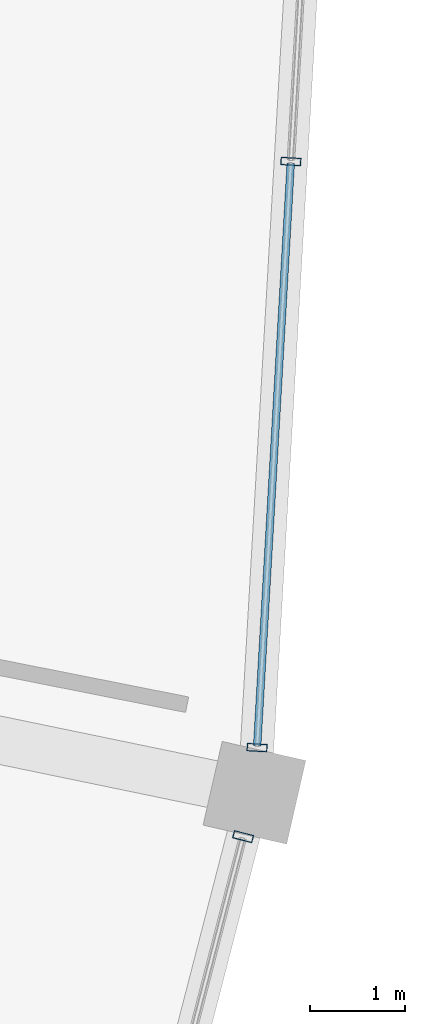
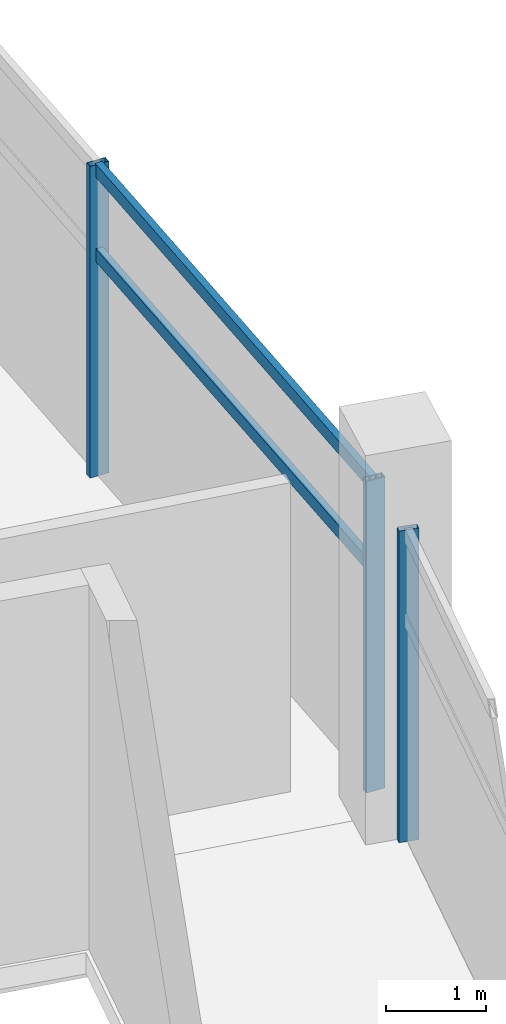
# One storey, part 70 of 171: 5 members, 2 elements without a shape of their own.
"""IFC4 building model written with IfcOpenShell, lengths in metres."""

from ifc_helpers import new_model, si_unit, direction, frame, origin, origin_2d, place, context, subcontext, project, spatial, hollow_rectangle, extrude, material, layer, layer_set, material_profile, profile_set, type_object, element, aggregate, save


model = new_model("IFC4")

# Units and contexts
model_context = context("Model", 3, precision=1e-05, world=origin(), true_north=direction((0.0, 1.0)))
body_context = subcontext(model_context, "Body", "Model", "MODEL_VIEW")
ifc_project = project(units=[si_unit("LENGTHUNIT", "METRE"), si_unit("AREAUNIT", "SQUARE_METRE"), si_unit("VOLUMEUNIT", "CUBIC_METRE"), si_unit("PLANEANGLEUNIT", "RADIAN"), si_unit("MASSUNIT", "GRAM", prefix="KILO")], contexts=[model_context])

# Site, building, storey
site_placement = place(None, origin())
site = spatial("IfcSite", under=ifc_project, at=site_placement, CompositionType="ELEMENT")
building_placement = place(site_placement, origin())
building = spatial("IfcBuilding", under=site, at=building_placement, Name="Kazemori Nagisa Stadium", CompositionType="ELEMENT")
storey_placement = place(building_placement, frame((0.0, 0.0, 15.639892578125)))
storey = spatial("IfcBuildingStorey", under=building, at=storey_placement, Name="L03", CompositionType="ELEMENT", Elevation=15.639892578125)

# Curtain wall, member
ifc_material_1 = material(Name="Anodised aluminium 6063-T5", Category="aluminium")
ifc_layer_1 = layer(ifc_material_1, 0.2099609375, Name="Anodised aluminium 6063-T5", Category="aluminium")
ifc_layer_set_1 = layer_set([ifc_layer_1], Name="Anodised aluminium 6063-T5")
curtain_wall_type_1 = type_object("IfcCurtainWallType", Name="CW_L03R3_96", PredefinedType="USERDEFINED", material=ifc_layer_set_1)
curtain_wall_1_placement = place(storey_placement, origin())
curtain_wall_1 = element("IfcCurtainWall", 1, at=curtain_wall_1_placement, inside=storey, type_object=curtain_wall_type_1, Name="Unitised curtain wall CW-L03R3-96 L03", ObjectType="UNITISED CURTAIN WALL", PredefinedType="USERDEFINED")
ifc_material_2 = material(Name="Aluminium 6063-T5 anodised", Category="aluminium")
ifc_material_profile_1 = material_profile(ifc_material_2, hollow_rectangle(XDim=0.080078125, YDim=0.2099609375, WallThickness=0.0048828125, at=origin_2d()), Name="ALU-MULL-80x210x5")
ifc_profile_set_1 = profile_set([ifc_material_profile_1], Name="Aluminium 6063-T5 anodised")
member_type_1 = type_object("IfcMemberType", Name="Mullion_M02", PredefinedType="MULLION", material=ifc_profile_set_1)
member_1_placement = place(storey_placement, frame((216.761962890625, 82.142333984375, 0.0), z_axis=(0.0, 0.0, 1.0), x_axis=(0.249964642418, 0.968254965152, 0.0)))
member_1 = element("IfcMember", 2, at=member_1_placement, type_object=member_type_1, Name="Curtain wall mullion CW-L03R3-96-M4", PredefinedType="MULLION", context=body_context, shape_type="SweptSolid", body=[
    extrude(hollow_rectangle(XDim=0.080078125, YDim=0.2099609375, WallThickness=0.0048828125, at=origin_2d()), origin(), (0.0, 0.0, 1.0), 3.81005859375),
])
aggregate(curtain_wall_1, [member_1])

# Curtain wall, members
ifc_layer_2 = layer(ifc_material_1, 0.2099609375, Name="Anodised aluminium 6063-T5", Category="aluminium")
ifc_layer_set_2 = layer_set([ifc_layer_2], Name="Anodised aluminium 6063-T5")
curtain_wall_type_2 = type_object("IfcCurtainWallType", Name="CW_L03R3_93", PredefinedType="USERDEFINED", material=ifc_layer_set_2)
curtain_wall_2_placement = place(storey_placement, origin())
curtain_wall_2 = element("IfcCurtainWall", 3, at=curtain_wall_2_placement, inside=storey, type_object=curtain_wall_type_2, Name="Unitised curtain wall CW-L03R3-93 L03", ObjectType="UNITISED CURTAIN WALL", PredefinedType="USERDEFINED")
member_2_placement = place(storey_placement, frame((216.908203125, 83.076416015625, 0.0), z_axis=(0.0, 0.0, 1.0), x_axis=(0.057601670941, 0.998339645364, 0.0)))
member_2 = element("IfcMember", 4, at=member_2_placement, type_object=member_type_1, Name="Curtain wall mullion CW-L03R3-93-M1", PredefinedType="MULLION", context=body_context, shape_type="SweptSolid", body=[
    extrude(hollow_rectangle(XDim=0.080078125, YDim=0.2099609375, WallThickness=0.0048828125, at=origin_2d()), origin(), (0.0, 0.0, 1.0), 3.81005859375),
])
member_3_placement = place(storey_placement, frame((217.262939453125, 89.226318359375, 0.0), z_axis=(0.0, 0.0, 1.0), x_axis=(0.057601670941, 0.998339645364, 0.0)))
member_3 = element("IfcMember", 5, at=member_3_placement, type_object=member_type_1, Name="Curtain wall mullion CW-L03R3-93-M2", PredefinedType="MULLION", context=body_context, shape_type="SweptSolid", body=[
    extrude(hollow_rectangle(XDim=0.080078125, YDim=0.2099609375, WallThickness=0.0048828125, at=origin_2d()), origin(), (0.0, 0.0, 1.0), 3.81005859375),
])
ifc_material_profile_2 = material_profile(ifc_material_2, hollow_rectangle(XDim=0.080078125, YDim=0.159912109375, WallThickness=0.00390625, at=origin_2d()), Name="ALU-TRAN-80x160x4")
ifc_profile_set_2 = profile_set([ifc_material_profile_2], Name="Aluminium 6063-T5 anodised")
member_type_2 = type_object("IfcMemberType", Name="Transom_T02", PredefinedType="USERDEFINED", material=ifc_profile_set_2)
member_4_placement = place(storey_placement, frame((216.909423828125, 83.096435546875, 2.705322265625), z_axis=(0.057564421344, 0.998341793874, 0.0), x_axis=(-0.998341793874, 0.057564421344, 0.0)))
member_4 = element("IfcMember", 6, at=member_4_placement, type_object=member_type_2, Name="Curtain wall transom CW-L03R3-93-T1-mid", ObjectType="TRANSOM", PredefinedType="USERDEFINED", context=body_context, shape_type="SweptSolid", body=[
    extrude(hollow_rectangle(XDim=0.080078125, YDim=0.159912109375, WallThickness=0.00390625, at=origin_2d()), origin(), (0.0, 0.0, 1.0), 6.1201171875),
])
member_5_placement = place(storey_placement, frame((216.909423828125, 83.096435546875, 3.739990234375), z_axis=(0.057564421344, 0.998341793874, 0.0), x_axis=(-0.998341793874, 0.057564421344, 0.0)))
member_5 = element("IfcMember", 7, at=member_5_placement, type_object=member_type_2, Name="Curtain wall transom CW-L03R3-93-T1-head", ObjectType="TRANSOM", PredefinedType="USERDEFINED", context=body_context, shape_type="SweptSolid", body=[
    extrude(hollow_rectangle(XDim=0.080078125, YDim=0.159912109375, WallThickness=0.00390625, at=origin_2d()), origin(), (0.0, 0.0, 1.0), 6.1201171875),
])
aggregate(curtain_wall_2, [member_2, member_3, member_4, member_5])

save(model, "model.ifc")
